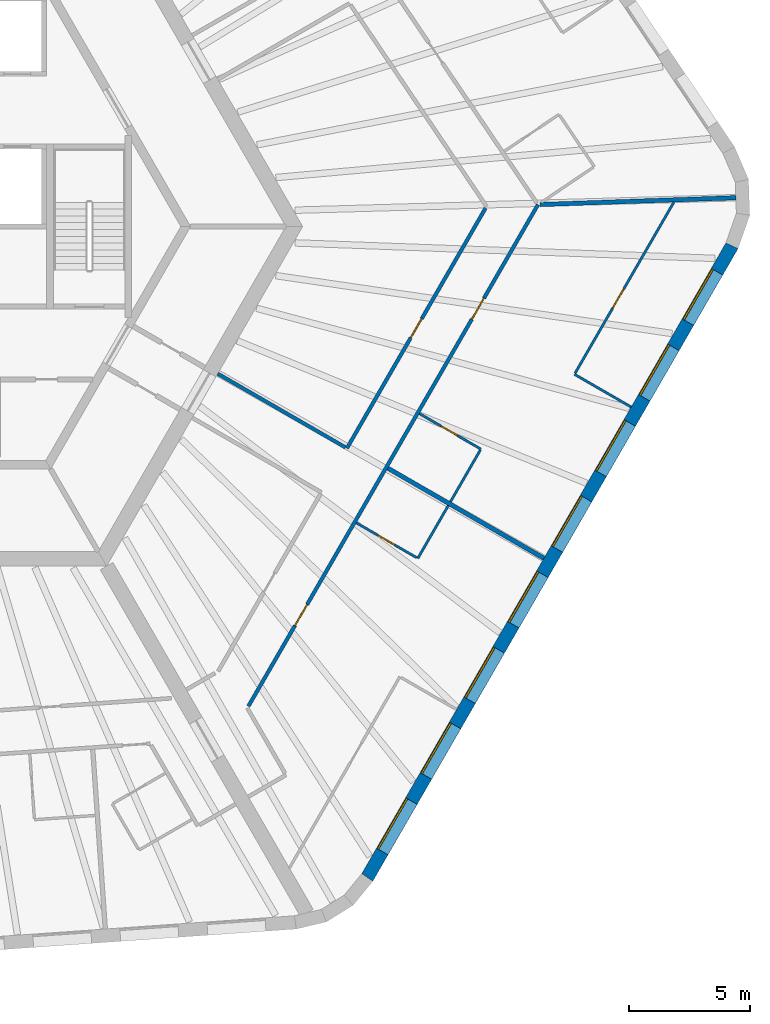
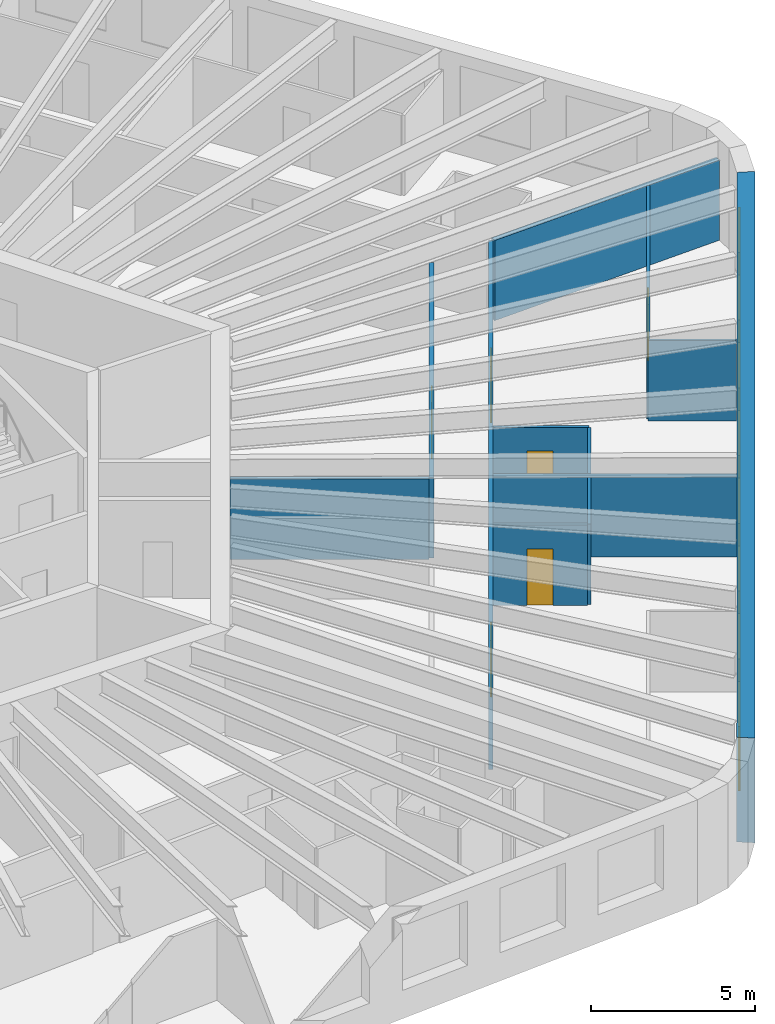
# One storey, part 6 of 12: 12 walls, 8 windows, 6 doors, 14 openings.
"""IFC4 building model written with IfcOpenShell, lengths in metres."""

import ifcopenshell
import ifcopenshell.guid

model = None  # the IFC model being written
_history = None  # IfcOwnerHistory: only IFC2X3 demands one
_inside = {}  # id of a spatial element -> (the spatial element, [elements in it])
_under = {}  # id of a project, library or spatial element -> (it, [spatial elements below it])
_declared = {}  # id of a project -> (the project, [libraries it declares])
_typed = {}  # id of a type object -> (the type object, [elements of that type])
_made_of = {}  # id of a material, layer set ... -> (it, [elements and type objects made of it])


def new_model(schema):
    """Start an empty IFC model of exactly this schema.

    Asked for "IFC4X3", IfcOpenShell would pick the latest addendum, in which some entities
    have other attributes; the version numbers below select the first issue.
    IFC2X3 requires an IfcOwnerHistory on every rooted entity: one is made here for all.
    """
    global model, _history
    if schema == "IFC4X3":
        model = ifcopenshell.file(schema_version=(4, 3, 0, 0))
    else:
        model = ifcopenshell.file(schema=schema)
    _inside.clear()
    _under.clear()
    _declared.clear()
    _typed.clear()
    _made_of.clear()
    _history = None
    if model.schema == "IFC2X3":
        org = make("IfcOrganization", Name="unknown")
        user = make(
            "IfcPersonAndOrganization",
            ThePerson=make("IfcPerson", FamilyName="unknown"),
            TheOrganization=org,
        )
        app = make(
            "IfcApplication",
            ApplicationDeveloper=org,
            Version="unknown",
            ApplicationFullName="unknown",
            ApplicationIdentifier="unknown",
        )
        _history = make(
            "IfcOwnerHistory",
            OwningUser=user,
            OwningApplication=app,
            ChangeAction="ADDED",
            CreationDate=0,
        )
    return model


def make(cls, **values):
    """One entity of the class cls with the attributes given. An attribute that is None is left unset."""
    return model.create_entity(
        cls, **{name: value for name, value in values.items() if value is not None}
    )


def rooted(cls, **values):
    """An entity with a GlobalId (a new one), such as an element, a storey or a relation."""
    return make(cls, GlobalId=ifcopenshell.guid.new(), OwnerHistory=_history, **values)


def si_unit(unit_type, name, prefix=None):
    """IfcSIUnit, for example si_unit("LENGTHUNIT", "METRE", prefix="MILLI")."""
    return make("IfcSIUnit", UnitType=unit_type, Prefix=prefix, Name=name)


def assignment(units):
    """IfcUnitAssignment: the units of a project."""
    return None if units is None else make("IfcUnitAssignment", Units=units)


def point(xyz):
    """IfcCartesianPoint."""
    return None if xyz is None else make("IfcCartesianPoint", Coordinates=xyz)


def direction(xyz):
    """IfcDirection."""
    return None if xyz is None else make("IfcDirection", DirectionRatios=xyz)


def frame(location, z_axis=None, x_axis=None):
    """IfcAxis2Placement3D, a coordinate frame: its origin and axes. An axis left out is left unset."""
    return make(
        "IfcAxis2Placement3D",
        Location=point(location),
        Axis=direction(z_axis),
        RefDirection=direction(x_axis),
    )


def frame_2d(location, x_axis=None):
    """IfcAxis2Placement2D, a coordinate frame in the plane: its origin and x axis."""
    return make(
        "IfcAxis2Placement2D", Location=point(location), RefDirection=direction(x_axis)
    )


def origin():
    """The frame at (0, 0, 0) with its axes left unset."""
    return frame((0.0, 0.0, 0.0))


def place(relative_to, where):
    """IfcLocalPlacement: puts the frame where relative to a parent placement (None: the world)."""
    return make(
        "IfcLocalPlacement", PlacementRelTo=relative_to, RelativePlacement=where
    )


def context(
    kind, dimensions, precision=None, world=None, true_north=None, identifier=None
):
    """IfcGeometricRepresentationContext, for example the 3D "Model" context."""
    return make(
        "IfcGeometricRepresentationContext",
        ContextIdentifier=identifier,
        ContextType=kind,
        CoordinateSpaceDimension=dimensions,
        Precision=precision,
        WorldCoordinateSystem=world,
        TrueNorth=true_north,
    )


def subcontext(parent, identifier, kind, view, scale=None):
    """IfcGeometricRepresentationSubContext, for example "Body" below "Model"."""
    return make(
        "IfcGeometricRepresentationSubContext",
        ContextIdentifier=identifier,
        ContextType=kind,
        ParentContext=parent,
        TargetScale=scale,
        TargetView=view,
    )


def project(units=None, contexts=None):
    """IfcProject with its units and contexts."""
    return rooted(
        "IfcProject",
        Name="project",
        RepresentationContexts=contexts,
        UnitsInContext=assignment(units),
    )


def spatial(cls, under=None, at=None, **own):
    """A site, building, storey or space (cls), placed at a placement, below another one or the project."""
    s = rooted(cls, ObjectPlacement=at, **own)
    if under is not None:
        _under.setdefault(under.id(), (under, []))[1].append(s)
    return s


def polyline(points):
    """IfcPolyline through the points."""
    return make("IfcPolyline", Points=[point(p) for p in points])


def profile(cls, at=None, kind="AREA", **sizes):
    """A parametric profile (cls). Its sizes go by their IFC names, for example OverallWidth=200.0."""
    return make(cls, ProfileType=kind, Position=at, **sizes)


def rectangle(**sizes):
    """IfcRectangleProfileDef."""
    return profile("IfcRectangleProfileDef", **sizes)


def outline(outer, holes=None, kind="AREA"):
    """IfcArbitraryClosedProfileDef: a profile drawn as a closed curve; with holes, ...WithVoids."""
    if holes is None:
        return make("IfcArbitraryClosedProfileDef", ProfileType=kind, OuterCurve=outer)
    return make(
        "IfcArbitraryProfileDefWithVoids",
        ProfileType=kind,
        OuterCurve=outer,
        InnerCurves=holes,
    )


def extrude(swept, where, along, depth):
    """IfcExtrudedAreaSolid: the profile swept, set in the frame where, extruded along a direction by depth."""
    return make(
        "IfcExtrudedAreaSolid",
        SweptArea=swept,
        Position=where,
        ExtrudedDirection=direction(along),
        Depth=depth,
    )


def shape(context_of_items, identifier, shape_type, items):
    """IfcShapeRepresentation: the items that make up one representation, for example the "Body"."""
    return make(
        "IfcShapeRepresentation",
        ContextOfItems=context_of_items,
        RepresentationIdentifier=identifier,
        RepresentationType=shape_type,
        Items=items,
    )


def material(Name=None, Category=None):
    """IfcMaterial."""
    return make("IfcMaterial", Name=Name, Category=Category)


def layer(
    of_material, thickness, ventilated=None, Name=None, Category=None, Priority=None
):
    """IfcMaterialLayer: one layer of a wall or slab, of a material (None: an air gap)."""
    return make(
        "IfcMaterialLayer",
        Material=of_material,
        LayerThickness=thickness,
        IsVentilated=ventilated,
        Name=Name,
        Category=Category,
        Priority=Priority,
    )


def layer_set(layers, Name=None):
    """IfcMaterialLayerSet."""
    return make("IfcMaterialLayerSet", MaterialLayers=layers, LayerSetName=Name)


def made_of(thing, what):
    """Note that an element or type object is made of a material, layer set ...; save() writes the relation."""
    if what is not None:
        _made_of.setdefault(what.id(), (what, []))[1].append(thing)
    return thing


def type_object(cls, material=None, **own):
    """A type object (cls), such as IfcWallType, which elements share."""
    return made_of(rooted(cls, **own), material)


def element(
    cls,
    number,
    at=None,
    inside=None,
    cuts=None,
    type_object=None,
    material=None,
    context=None,
    identifier="Body",
    shape_type=None,
    held_by="IfcProductDefinitionShape",
    body=None,
    shapes=None,
    **own,
):
    """One element of the class cls, such as IfcWall. Its Tag is "e" and its number.

    at: its placement. inside: the storey or other place that contains it. cuts: it is an
    opening in that element (IfcRelVoidsElement). A single representation is given by context,
    identifier, shape_type and body (its items); several are given by shapes. held_by: the class
    of the entity that holds the representations. save() writes the other relations.
    """
    e = rooted(cls, Tag="e%d" % number, ObjectPlacement=at, **own)
    if body is not None:
        shapes = [shape(context, identifier, shape_type, body)]
    if shapes is not None:
        e.Representation = make(held_by, Representations=shapes)
    if inside is not None:
        _inside.setdefault(inside.id(), (inside, []))[1].append(e)
    if cuts is not None:
        rooted(
            "IfcRelVoidsElement", RelatingBuildingElement=cuts, RelatedOpeningElement=e
        )
    if type_object is not None:
        _typed.setdefault(type_object.id(), (type_object, []))[1].append(e)
    return made_of(e, material)


def fill(opening, filler):
    """IfcRelFillsElement: the door or window that sits in an opening."""
    return rooted(
        "IfcRelFillsElement",
        RelatingOpeningElement=opening,
        RelatedBuildingElement=filler,
    )


def aggregate(whole, parts):
    """IfcRelAggregates: a whole, such as a stair, and the parts it consists of."""
    return rooted("IfcRelAggregates", RelatingObject=whole, RelatedObjects=parts)


def save(model, path):
    """Write the relations noted so far, then the file.

    IfcRelAggregates (storeys below a building ...), IfcRelContainedInSpatialStructure (elements
    in a storey), IfcRelDefinesByType, IfcRelAssociatesMaterial and IfcRelDeclares: one each for
    every whole, place, type object, material and project.
    """
    for whole, parts in _under.values():
        aggregate(whole, parts)
    for where, things in _inside.values():
        rooted(
            "IfcRelContainedInSpatialStructure",
            RelatedElements=things,
            RelatingStructure=where,
        )
    for kind, things in _typed.values():
        rooted("IfcRelDefinesByType", RelatedObjects=things, RelatingType=kind)
    for what, things in _made_of.values():
        rooted("IfcRelAssociatesMaterial", RelatedObjects=things, RelatingMaterial=what)
    for by, libraries in _declared.values():
        rooted("IfcRelDeclares", RelatingContext=by, RelatedDefinitions=libraries)
    model.write(path)


model = new_model("IFC4")

# Units and contexts
model_context = context("Model", 3, precision=1e-05, world=origin(), true_north=direction((0.0, 1.0)))
body_context = subcontext(model_context, "Body", "Model", "MODEL_VIEW")
ifc_project = project(units=[si_unit("LENGTHUNIT", "METRE"), si_unit("AREAUNIT", "SQUARE_METRE"), si_unit("VOLUMEUNIT", "CUBIC_METRE"), si_unit("PLANEANGLEUNIT", "RADIAN"), si_unit("MASSUNIT", "GRAM", prefix="KILO")], contexts=[model_context])

# Site, building, storey
site_placement = place(None, origin())
site = spatial("IfcSite", under=ifc_project, at=site_placement, CompositionType="ELEMENT")
building_placement = place(site_placement, origin())
building = spatial("IfcBuilding", under=site, at=building_placement, Name="Tarnside Tower", CompositionType="ELEMENT")
storey_placement = place(building_placement, frame((0.0, 0.0, 115.5)))
storey = spatial("IfcBuildingStorey", under=building, at=storey_placement, Name="L26", CompositionType="ELEMENT", Elevation=115.5)

# Wall
ifc_material_1 = material(Name="Gypsum board partition on steel studs", Category="steel")
ifc_layer_1 = layer(ifc_material_1, 0.10009765625)
ifc_layer_set_1 = layer_set([ifc_layer_1], Name="Bathroom wall 100")
wall_type_1 = type_object("IfcWallType", Name="Bathroom wall 100", PredefinedType="PARTITIONING", material=ifc_layer_set_1)
wall_1_placement = place(storey_placement, frame((22.16796875, -11.504150390625, 0.0), z_axis=(0.0, 0.0, 1.0), x_axis=(-0.50001992892, -0.866013897511, 0.0)))
element("IfcWall", 1, at=wall_1_placement, inside=storey, type_object=wall_type_1, Name="Bathroom wall 08125", PredefinedType="PARTITIONING", context=body_context, shape_type="SweptSolid", body=[
    extrude(rectangle(XDim=2.51025390625, YDim=0.10009765625, at=frame_2d((1.255126953125, 0.0))), origin(), (0.0, 0.0, 1.0), 2.98779296875),
])

# Wall, opening, door
wall_2_placement = place(storey_placement, frame((20.86962890625, -13.65283203125, 0.0), z_axis=(0.0, 0.0, 1.0), x_axis=(-0.866039941686, 0.499974818771, 0.0)))
wall_2 = element("IfcWall", 2, at=wall_2_placement, inside=storey, type_object=wall_type_1, Name="Bathroom wall 08126", PredefinedType="PARTITIONING", context=body_context, shape_type="SweptSolid", body=[
    extrude(rectangle(XDim=2.875244140625, YDim=0.10009765625, at=frame_2d((1.4375, 0.0))), origin(), (0.0, 0.0, 1.0), 2.98779296875),
])
opening_1_placement = place(wall_2_placement, frame((1.050048828125, 0.0, 0.0)))
opening_1 = element("IfcOpeningElement", 3, at=opening_1_placement, cuts=wall_2, Name="Opening D-B1", PredefinedType="OPENING", context=body_context, shape_type="SweptSolid", body=[
    extrude(rectangle(XDim=0.800048828125, YDim=2.10009765625, at=frame_2d((0.39990234375, 1.050048828125))), frame((0.0, 0.06005859375, 0.0), z_axis=(0.0, -1.0, 0.0), x_axis=(1.0, 0.0, 0.0)), (0.0, 0.0, 1.0), 0.1201171875),
])
ifc_material_2 = material(Name="Timber door leaf", Category="wood")
door_type_1 = type_object("IfcDoorType", Name="Bathroom door 800", OperationType="NOTDEFINED", PredefinedType="DOOR", material=ifc_material_2)
door_1_placement = place(opening_1_placement, origin())
door_1 = element("IfcDoor", 4, at=door_1_placement, inside=storey, type_object=door_type_1, Name="Bathroom door 08029", OperationType="SINGLE_SWING_RIGHT", OverallHeight=2.10009765625, OverallWidth=0.800048828125, PredefinedType="DOOR", context=body_context, shape_type="SweptSolid", body=[
    extrude(rectangle(XDim=0.800048828125, YDim=2.10009765625, at=frame_2d((0.39990234375, 1.050048828125))), frame((0.0, 0.02490234375, 0.0), z_axis=(0.0, -1.0, 0.0), x_axis=(1.0, 0.0, 0.0)), (0.0, 0.0, 1.0), 0.050048828125),
])
fill(opening_1, door_1)

wall_3_placement = place(storey_placement, frame((20.979736328125, -7.7119140625, 0.0), z_axis=(0.0, 0.0, 1.0), x_axis=(0.86601045545, -0.500025890382, 0.0)))
wall_3 = element("IfcWall", 5, at=wall_3_placement, inside=storey, type_object=wall_type_1, Name="Bathroom wall 08131", PredefinedType="PARTITIONING", context=body_context, shape_type="SweptSolid", body=[
    extrude(rectangle(XDim=2.925048828125, YDim=0.10009765625, at=frame_2d((1.46240234375, 0.0))), origin(), (0.0, 0.0, 1.0), 2.98779296875),
])
opening_2_placement = place(wall_3_placement, frame((1.02490234375, 0.0, 0.0)))
opening_2 = element("IfcOpeningElement", 6, at=opening_2_placement, cuts=wall_3, Name="Opening D-B1", PredefinedType="OPENING", context=body_context, shape_type="SweptSolid", body=[
    extrude(rectangle(XDim=0.800048828125, YDim=2.10009765625, at=frame_2d((0.39990234375, 1.050048828125))), frame((0.0, 0.06005859375, 0.0), z_axis=(0.0, -1.0, 0.0), x_axis=(1.0, 0.0, 0.0)), (0.0, 0.0, 1.0), 0.1201171875),
])
door_2_placement = place(opening_2_placement, origin())
door_2 = element("IfcDoor", 7, at=door_2_placement, inside=storey, type_object=door_type_1, Name="Bathroom door 08032", OperationType="SINGLE_SWING_RIGHT", OverallHeight=2.10009765625, OverallWidth=0.800048828125, PredefinedType="DOOR", context=body_context, shape_type="SweptSolid", body=[
    extrude(rectangle(XDim=0.800048828125, YDim=2.10009765625, at=frame_2d((0.39990234375, 1.050048828125))), frame((0.0, 0.02490234375, 0.0), z_axis=(0.0, -1.0, 0.0), x_axis=(1.0, 0.0, 0.0)), (0.0, 0.0, 1.0), 0.050048828125),
])
fill(opening_2, door_2)

# Wall
wall_4_placement = place(storey_placement, frame((23.48779296875, -9.2177734375, 0.0), z_axis=(0.0, 0.0, 1.0), x_axis=(-0.500003092839, -0.866023618125, 0.0)))
element("IfcWall", 8, at=wall_4_placement, inside=storey, type_object=wall_type_1, Name="Bathroom wall 08132", PredefinedType="PARTITIONING", context=body_context, shape_type="SweptSolid", body=[
    extrude(rectangle(XDim=2.4599609375, YDim=0.10009765625, at=frame_2d((1.22998046875, 0.0))), origin(), (0.0, 0.0, 1.0), 2.98779296875),
])

# Wall, openings, doors
ifc_layer_2 = layer(ifc_material_1, 0.14990234375)
ifc_layer_set_2 = layer_set([ifc_layer_2], Name="Corridor wall 150 EI 60")
wall_type_2 = type_object("IfcWallType", Name="Corridor wall 150 EI 60", PredefinedType="PARTITIONING", material=ifc_layer_set_2)
wall_5_placement = place(storey_placement, frame((13.928466796875, -19.77490234375, 0.0), z_axis=(0.0, 0.0, 1.0), x_axis=(0.50000450071, 0.866022805283, 0.0)))
wall_5 = element("IfcWall", 9, at=wall_5_placement, inside=storey, type_object=wall_type_2, Name="Corridor wall 08052", PredefinedType="PARTITIONING", context=body_context, shape_type="SweptSolid", body=[
    extrude(rectangle(XDim=23.877197265625, YDim=0.14990234375, at=frame_2d((11.9384765625, 0.0))), origin(), (0.0, 0.0, 1.0), 2.98779296875),
])
opening_3_placement = place(wall_5_placement, frame((3.843017578125, 0.0, 0.0)))
opening_3 = element("IfcOpeningElement", 10, at=opening_3_placement, cuts=wall_5, Name="Opening D-E1", PredefinedType="OPENING", context=body_context, shape_type="SweptSolid", body=[
    extrude(rectangle(XDim=1.0, YDim=2.10009765625, at=frame_2d((0.5, 1.050048828125))), frame((0.0, 0.0849609375, 0.0), z_axis=(0.0, -1.0, 0.0), x_axis=(1.0, 0.0, 0.0)), (0.0, 0.0, 1.0), 0.169921875),
])
opening_4_placement = place(wall_5_placement, frame((18.4248046875, 0.0, 0.0)))
opening_4 = element("IfcOpeningElement", 11, at=opening_4_placement, cuts=wall_5, Name="Opening D-E1", PredefinedType="OPENING", context=body_context, shape_type="SweptSolid", body=[
    extrude(rectangle(XDim=1.0, YDim=2.10009765625, at=frame_2d((0.5, 1.050048828125))), frame((0.0, 0.0849609375, 0.0), z_axis=(0.0, -1.0, 0.0), x_axis=(1.0, 0.0, 0.0)), (0.0, 0.0, 1.0), 0.169921875),
])
door_type_2 = type_object("IfcDoorType", Name="Unit entrance door 1000 FD30S", OperationType="NOTDEFINED", PredefinedType="DOOR", material=ifc_material_2)
door_3_placement = place(opening_3_placement, origin())
door_3 = element("IfcDoor", 12, at=door_3_placement, inside=storey, type_object=door_type_2, Name="Unit door 08028", OperationType="SINGLE_SWING_RIGHT", OverallHeight=2.10009765625, OverallWidth=1.0, PredefinedType="DOOR", context=body_context, shape_type="SweptSolid", body=[
    extrude(rectangle(XDim=1.0, YDim=2.10009765625, at=frame_2d((0.5, 1.050048828125))), frame((0.0, 0.02490234375, 0.0), z_axis=(0.0, -1.0, 0.0), x_axis=(1.0, 0.0, 0.0)), (0.0, 0.0, 1.0), 0.050048828125),
])
fill(opening_3, door_3)
door_4_placement = place(opening_4_placement, origin())
door_4 = element("IfcDoor", 13, at=door_4_placement, inside=storey, type_object=door_type_2, Name="Unit door 08031", OperationType="SINGLE_SWING_RIGHT", OverallHeight=2.10009765625, OverallWidth=1.0, PredefinedType="DOOR", context=body_context, shape_type="SweptSolid", body=[
    extrude(rectangle(XDim=1.0, YDim=2.10009765625, at=frame_2d((0.5, 1.050048828125))), frame((0.0, 0.02490234375, 0.0), z_axis=(0.0, -1.0, 0.0), x_axis=(1.0, 0.0, 0.0)), (0.0, 0.0, 1.0), 0.050048828125),
])
fill(opening_4, door_4)

# Wall, opening, door
wall_6_placement = place(storey_placement, frame((23.704345703125, 0.757080078125, 0.0), z_axis=(0.0, 0.0, 1.0), x_axis=(-0.500010297365, -0.866019458516, 0.0)))
wall_6 = element("IfcWall", 14, at=wall_6_placement, inside=storey, type_object=wall_type_2, Name="Corridor wall 08064", PredefinedType="PARTITIONING", context=body_context, shape_type="SweptSolid", body=[
    extrude(rectangle(XDim=11.428955078125, YDim=0.14990234375, at=frame_2d((5.71435546875, 0.0))), origin(), (0.0, 0.0, 1.0), 2.98779296875),
])
opening_5_placement = place(wall_6_placement, frame((5.264404296875, 0.0, 0.0)))
opening_5 = element("IfcOpeningElement", 15, at=opening_5_placement, cuts=wall_6, Name="Opening D-S1", PredefinedType="OPENING", context=body_context, shape_type="SweptSolid", body=[
    extrude(rectangle(XDim=0.89990234375, YDim=2.10009765625, at=frame_2d((0.449951171875, 1.050048828125))), frame((0.0, 0.0849609375, 0.0), z_axis=(0.0, -1.0, 0.0), x_axis=(1.0, 0.0, 0.0)), (0.0, 0.0, 1.0), 0.169921875),
])
door_type_3 = type_object("IfcDoorType", Name="Service room door 900 FD30S", OperationType="NOTDEFINED", PredefinedType="DOOR", material=ifc_material_2)
door_5_placement = place(opening_5_placement, origin())
door_5 = element("IfcDoor", 16, at=door_5_placement, inside=storey, type_object=door_type_3, Name="Service door 08046", OperationType="SINGLE_SWING_LEFT", OverallHeight=2.10009765625, OverallWidth=0.89990234375, PredefinedType="DOOR", context=body_context, shape_type="SweptSolid", body=[
    extrude(rectangle(XDim=0.89990234375, YDim=2.10009765625, at=frame_2d((0.449951171875, 1.050048828125))), frame((0.0, 0.02490234375, 0.0), z_axis=(0.0, -1.0, 0.0), x_axis=(1.0, 0.0, 0.0)), (0.0, 0.0, 1.0), 0.050048828125),
])
fill(opening_5, door_5)

# Walls
wall_7_placement = place(storey_placement, frame((17.9248046875, -9.103271484375, 0.0), z_axis=(0.0, 0.0, 1.0), x_axis=(-0.866013586754, 0.500020467139, 0.0)))
element("IfcWall", 17, at=wall_7_placement, inside=storey, type_object=wall_type_2, Name="Corridor wall 08065", PredefinedType="PARTITIONING", context=body_context, shape_type="SweptSolid", body=[
    extrude(rectangle(XDim=6.074951171875, YDim=0.14990234375, at=frame_2d((3.03759765625, 0.0))), origin(), (0.0, 0.0, 1.0), 2.98779296875),
])
ifc_layer_3 = layer(ifc_material_1, 0.179931640625)
ifc_layer_set_3 = layer_set([ifc_layer_3], Name="Demising wall 180 EI 60")
wall_type_3 = type_object("IfcWallType", Name="Demising wall 180 EI 60", PredefinedType="PARTITIONING", material=ifc_layer_set_3)
wall_8_placement = place(storey_placement, frame((26.10986328125, -13.67626953125, 0.0), z_axis=(0.0, 0.0, 1.0), x_axis=(-0.866014745021, 0.500018461065, 0.0)))
element("IfcWall", 18, at=wall_8_placement, inside=storey, type_object=wall_type_3, Name="Demising wall 08129", PredefinedType="PARTITIONING", context=body_context, shape_type="SweptSolid", body=[
    extrude(rectangle(XDim=7.425048828125, YDim=0.179931640625, at=frame_2d((3.71240234375, 0.0))), origin(), (0.0, 0.0, 1.0), 2.98779296875),
])
wall_9_placement = place(storey_placement, frame((34.0234375, 1.188232421875, 0.0), z_axis=(0.0, 0.0, 1.0), x_axis=(-0.999390818315, -0.03489974594, 0.0)))
element("IfcWall", 19, at=wall_9_placement, inside=storey, type_object=wall_type_3, Name="Demising wall 08135", PredefinedType="PARTITIONING", context=body_context, shape_type="SweptSolid", body=[
    extrude(rectangle(XDim=8.07275390625, YDim=0.179931640625, at=frame_2d((4.036376953125, 0.0))), origin(), (0.0, 0.0, 1.0), 2.98779296875),
])
ifc_layer_4 = layer(ifc_material_1, 0.10009765625)
ifc_layer_set_4 = layer_set([ifc_layer_4], Name="Partition 100")
wall_type_4 = type_object("IfcWallType", Name="Partition 100", PredefinedType="PARTITIONING", material=ifc_layer_set_4)
wall_10_placement = place(storey_placement, frame((29.7099609375, -7.44091796875, 0.0), z_axis=(0.0, 0.0, 1.0), x_axis=(-0.86599734893, 0.500048589285, 0.0)))
element("IfcWall", 20, at=wall_10_placement, inside=storey, type_object=wall_type_4, Name="Partition wall 08133", PredefinedType="PARTITIONING", context=body_context, shape_type="SweptSolid", body=[
    extrude(rectangle(XDim=2.699951171875, YDim=0.10009765625, at=frame_2d((1.35009765625, 0.0))), origin(), (0.0, 0.0, 1.0), 2.98779296875),
])

# Wall, opening, door
wall_11_placement = place(storey_placement, frame((27.396728515625, -6.047607421875, 0.0), z_axis=(0.0, 0.0, 1.0), x_axis=(0.49998354646, 0.866034903032, 0.0)))
wall_11 = element("IfcWall", 21, at=wall_11_placement, inside=storey, type_object=wall_type_4, Name="Partition wall 08134", PredefinedType="PARTITIONING", context=body_context, shape_type="SweptSolid", body=[
    extrude(rectangle(XDim=8.148193359375, YDim=0.10009765625, at=frame_2d((4.07421875, 0.0))), origin(), (0.0, 0.0, 1.0), 2.98779296875),
])
opening_6_placement = place(wall_11_placement, frame((3.10009765625, 0.0, 0.0)))
opening_6 = element("IfcOpeningElement", 22, at=opening_6_placement, cuts=wall_11, Name="Opening D-I1", PredefinedType="OPENING", context=body_context, shape_type="SweptSolid", body=[
    extrude(rectangle(XDim=0.89990234375, YDim=2.10009765625, at=frame_2d((0.449951171875, 1.050048828125))), frame((0.0, 0.06005859375, 0.0), z_axis=(0.0, -1.0, 0.0), x_axis=(1.0, 0.0, 0.0)), (0.0, 0.0, 1.0), 0.1201171875),
])
door_type_4 = type_object("IfcDoorType", Name="Internal door 900", OperationType="NOTDEFINED", PredefinedType="DOOR", material=ifc_material_2)
door_6_placement = place(opening_6_placement, origin())
door_6 = element("IfcDoor", 23, at=door_6_placement, inside=storey, type_object=door_type_4, Name="Internal door 08033", OperationType="SINGLE_SWING_RIGHT", OverallHeight=2.10009765625, OverallWidth=0.89990234375, PredefinedType="DOOR", context=body_context, shape_type="SweptSolid", body=[
    extrude(rectangle(XDim=0.89990234375, YDim=2.10009765625, at=frame_2d((0.449951171875, 1.050048828125))), frame((0.0, 0.02490234375, 0.0), z_axis=(0.0, -1.0, 0.0), x_axis=(1.0, 0.0, 0.0)), (0.0, 0.0, 1.0), 0.050048828125),
])
fill(opening_6, door_6)

# Wall, openings, windows
ifc_material_3 = material(Name="Facing brick", Category="masonry")
ifc_layer_5 = layer(ifc_material_3, 0.10205078125)
ifc_material_4 = material(Name="Concrete C60/75 precast", Category="concrete")
ifc_layer_6 = layer(ifc_material_4, 0.347900390625)
ifc_material_5 = material(Name="Mineral wool insulation")
ifc_layer_7 = layer(ifc_material_5, 0.10009765625)
ifc_layer_set_5 = layer_set([ifc_layer_5, ifc_layer_6, ifc_layer_7], Name="Tube wall 550 brick faced")
wall_type_5 = type_object("IfcWallType", Name="Tube wall 550 brick faced", PredefinedType="SOLIDWALL", material=ifc_layer_set_5)
wall_12_placement = place(storey_placement, frame((18.830322265625, -26.834716796875, -0.14990234375), z_axis=(0.0, 0.0, 1.0), x_axis=(0.500003800416, 0.866023209602, 0.0)))
wall_12 = element("IfcWall", 24, at=wall_12_placement, inside=storey, type_object=wall_type_5, Name="Tube wall L26 F5 flush 16", PredefinedType="SOLIDWALL", context=body_context, shape_type="SweptSolid", body=[
    extrude(outline(polyline([(-0.0224609375, -0.27490234375), (30.0966796875, -0.27490234375), (30.04541015625, 0.27490234375), (0.0224609375, 0.27490234375), (-0.0224609375, -0.27490234375)])), origin(), (0.0, 0.0, 1.0), 3.89990234375),
])
opening_7_placement = place(wall_12_placement, frame((1.235595703125, 0.0, 1.050048828125)))
opening_7 = element("IfcOpeningElement", 25, at=opening_7_placement, cuts=wall_12, Name="Opening WH", PredefinedType="OPENING", context=body_context, shape_type="SweptSolid", body=[
    extrude(rectangle(XDim=2.39990234375, YDim=2.39990234375, at=frame_2d((1.199951171875, 1.199951171875))), frame((0.0, 0.28515625, 0.0), z_axis=(0.0, -1.0, 0.0), x_axis=(1.0, 0.0, 0.0)), (0.0, 0.0, 1.0), 0.570068359375),
])
opening_8_placement = place(wall_12_placement, frame((4.83544921875, 0.0, 1.050048828125)))
opening_8 = element("IfcOpeningElement", 26, at=opening_8_placement, cuts=wall_12, Name="Opening WH", PredefinedType="OPENING", context=body_context, shape_type="SweptSolid", body=[
    extrude(rectangle(XDim=2.39990234375, YDim=2.39990234375, at=frame_2d((1.199951171875, 1.199951171875))), frame((0.0, 0.28515625, 0.0), z_axis=(0.0, -1.0, 0.0), x_axis=(1.0, 0.0, 0.0)), (0.0, 0.0, 1.0), 0.570068359375),
])
opening_9_placement = place(wall_12_placement, frame((8.435546875, 0.0, 1.050048828125)))
opening_9 = element("IfcOpeningElement", 27, at=opening_9_placement, cuts=wall_12, Name="Opening WH", PredefinedType="OPENING", context=body_context, shape_type="SweptSolid", body=[
    extrude(rectangle(XDim=2.39990234375, YDim=2.39990234375, at=frame_2d((1.199951171875, 1.199951171875))), frame((0.0, 0.28515625, 0.0), z_axis=(0.0, -1.0, 0.0), x_axis=(1.0, 0.0, 0.0)), (0.0, 0.0, 1.0), 0.570068359375),
])
opening_10_placement = place(wall_12_placement, frame((12.035400390625, 0.0, 1.050048828125)))
opening_10 = element("IfcOpeningElement", 28, at=opening_10_placement, cuts=wall_12, Name="Opening WH", PredefinedType="OPENING", context=body_context, shape_type="SweptSolid", body=[
    extrude(rectangle(XDim=2.39990234375, YDim=2.39990234375, at=frame_2d((1.199951171875, 1.199951171875))), frame((0.0, 0.28515625, 0.0), z_axis=(0.0, -1.0, 0.0), x_axis=(1.0, 0.0, 0.0)), (0.0, 0.0, 1.0), 0.570068359375),
])
opening_11_placement = place(wall_12_placement, frame((15.635498046875, 0.0, 1.050048828125)))
opening_11 = element("IfcOpeningElement", 29, at=opening_11_placement, cuts=wall_12, Name="Opening WH", PredefinedType="OPENING", context=body_context, shape_type="SweptSolid", body=[
    extrude(rectangle(XDim=2.39990234375, YDim=2.39990234375, at=frame_2d((1.199951171875, 1.199951171875))), frame((0.0, 0.28515625, 0.0), z_axis=(0.0, -1.0, 0.0), x_axis=(1.0, 0.0, 0.0)), (0.0, 0.0, 1.0), 0.570068359375),
])
opening_12_placement = place(wall_12_placement, frame((19.235595703125, 0.0, 1.050048828125)))
opening_12 = element("IfcOpeningElement", 30, at=opening_12_placement, cuts=wall_12, Name="Opening WH", PredefinedType="OPENING", context=body_context, shape_type="SweptSolid", body=[
    extrude(rectangle(XDim=2.39990234375, YDim=2.39990234375, at=frame_2d((1.199951171875, 1.199951171875))), frame((0.0, 0.28515625, 0.0), z_axis=(0.0, -1.0, 0.0), x_axis=(1.0, 0.0, 0.0)), (0.0, 0.0, 1.0), 0.570068359375),
])
opening_13_placement = place(wall_12_placement, frame((22.83544921875, 0.0, 1.050048828125)))
opening_13 = element("IfcOpeningElement", 31, at=opening_13_placement, cuts=wall_12, Name="Opening WH", PredefinedType="OPENING", context=body_context, shape_type="SweptSolid", body=[
    extrude(rectangle(XDim=2.39990234375, YDim=2.39990234375, at=frame_2d((1.199951171875, 1.199951171875))), frame((0.0, 0.28515625, 0.0), z_axis=(0.0, -1.0, 0.0), x_axis=(1.0, 0.0, 0.0)), (0.0, 0.0, 1.0), 0.570068359375),
])
opening_14_placement = place(wall_12_placement, frame((26.435546875, 0.0, 1.050048828125)))
opening_14 = element("IfcOpeningElement", 32, at=opening_14_placement, cuts=wall_12, Name="Opening WH", PredefinedType="OPENING", context=body_context, shape_type="SweptSolid", body=[
    extrude(rectangle(XDim=2.39990234375, YDim=2.39990234375, at=frame_2d((1.199951171875, 1.199951171875))), frame((0.0, 0.28515625, 0.0), z_axis=(0.0, -1.0, 0.0), x_axis=(1.0, 0.0, 0.0)), (0.0, 0.0, 1.0), 0.570068359375),
])
ifc_material_6 = material(Name="Aluminium-framed double glazing", Category="aluminium")
window_type = type_object("IfcWindowType", Name="Hotel window 2400 x 2400", PartitioningType="DOUBLE_PANEL_VERTICAL", PredefinedType="WINDOW", material=ifc_material_6)
window_1_placement = place(opening_7_placement, frame((0.0, 0.205078125, 0.0)))
window_1 = element("IfcWindow", 33, at=window_1_placement, inside=storey, type_object=window_type, Name="E.WN.L26.F5.00", OverallHeight=2.39990234375, OverallWidth=2.39990234375, PartitioningType="DOUBLE_PANEL_VERTICAL", PredefinedType="WINDOW", context=body_context, shape_type="SweptSolid", body=[
    extrude(rectangle(XDim=2.39990234375, YDim=2.39990234375, at=frame_2d((1.199951171875, 1.199951171875))), frame((0.0, 0.030029296875, 0.0), z_axis=(0.0, -1.0, 0.0), x_axis=(1.0, 0.0, 0.0)), (0.0, 0.0, 1.0), 0.06005859375),
])
fill(opening_7, window_1)
window_2_placement = place(opening_8_placement, frame((0.0, 0.205078125, 0.0)))
window_2 = element("IfcWindow", 34, at=window_2_placement, inside=storey, type_object=window_type, Name="E.WN.L26.F5.01", OverallHeight=2.39990234375, OverallWidth=2.39990234375, PartitioningType="DOUBLE_PANEL_VERTICAL", PredefinedType="WINDOW", context=body_context, shape_type="SweptSolid", body=[
    extrude(rectangle(XDim=2.39990234375, YDim=2.39990234375, at=frame_2d((1.199951171875, 1.199951171875))), frame((0.0, 0.030029296875, 0.0), z_axis=(0.0, -1.0, 0.0), x_axis=(1.0, 0.0, 0.0)), (0.0, 0.0, 1.0), 0.06005859375),
])
fill(opening_8, window_2)
window_3_placement = place(opening_9_placement, frame((0.0, 0.205078125, 0.0)))
window_3 = element("IfcWindow", 35, at=window_3_placement, inside=storey, type_object=window_type, Name="E.WN.L26.F5.02", OverallHeight=2.39990234375, OverallWidth=2.39990234375, PartitioningType="DOUBLE_PANEL_VERTICAL", PredefinedType="WINDOW", context=body_context, shape_type="SweptSolid", body=[
    extrude(rectangle(XDim=2.39990234375, YDim=2.39990234375, at=frame_2d((1.199951171875, 1.199951171875))), frame((0.0, 0.030029296875, 0.0), z_axis=(0.0, -1.0, 0.0), x_axis=(1.0, 0.0, 0.0)), (0.0, 0.0, 1.0), 0.06005859375),
])
fill(opening_9, window_3)
window_4_placement = place(opening_10_placement, frame((0.0, 0.205078125, 0.0)))
window_4 = element("IfcWindow", 36, at=window_4_placement, inside=storey, type_object=window_type, Name="E.WN.L26.F5.03", OverallHeight=2.39990234375, OverallWidth=2.39990234375, PartitioningType="DOUBLE_PANEL_VERTICAL", PredefinedType="WINDOW", context=body_context, shape_type="SweptSolid", body=[
    extrude(rectangle(XDim=2.39990234375, YDim=2.39990234375, at=frame_2d((1.199951171875, 1.199951171875))), frame((0.0, 0.030029296875, 0.0), z_axis=(0.0, -1.0, 0.0), x_axis=(1.0, 0.0, 0.0)), (0.0, 0.0, 1.0), 0.06005859375),
])
fill(opening_10, window_4)
window_5_placement = place(opening_11_placement, frame((0.0, 0.205078125, 0.0)))
window_5 = element("IfcWindow", 37, at=window_5_placement, inside=storey, type_object=window_type, Name="E.WN.L26.F5.04", OverallHeight=2.39990234375, OverallWidth=2.39990234375, PartitioningType="DOUBLE_PANEL_VERTICAL", PredefinedType="WINDOW", context=body_context, shape_type="SweptSolid", body=[
    extrude(rectangle(XDim=2.39990234375, YDim=2.39990234375, at=frame_2d((1.199951171875, 1.199951171875))), frame((0.0, 0.030029296875, 0.0), z_axis=(0.0, -1.0, 0.0), x_axis=(1.0, 0.0, 0.0)), (0.0, 0.0, 1.0), 0.06005859375),
])
fill(opening_11, window_5)
window_6_placement = place(opening_12_placement, frame((0.0, 0.205078125, 0.0)))
window_6 = element("IfcWindow", 38, at=window_6_placement, inside=storey, type_object=window_type, Name="E.WN.L26.F5.05", OverallHeight=2.39990234375, OverallWidth=2.39990234375, PartitioningType="DOUBLE_PANEL_VERTICAL", PredefinedType="WINDOW", context=body_context, shape_type="SweptSolid", body=[
    extrude(rectangle(XDim=2.39990234375, YDim=2.39990234375, at=frame_2d((1.199951171875, 1.199951171875))), frame((0.0, 0.030029296875, 0.0), z_axis=(0.0, -1.0, 0.0), x_axis=(1.0, 0.0, 0.0)), (0.0, 0.0, 1.0), 0.06005859375),
])
fill(opening_12, window_6)
window_7_placement = place(opening_13_placement, frame((0.0, 0.205078125, 0.0)))
window_7 = element("IfcWindow", 39, at=window_7_placement, inside=storey, type_object=window_type, Name="E.WN.L26.F5.06", OverallHeight=2.39990234375, OverallWidth=2.39990234375, PartitioningType="DOUBLE_PANEL_VERTICAL", PredefinedType="WINDOW", context=body_context, shape_type="SweptSolid", body=[
    extrude(rectangle(XDim=2.39990234375, YDim=2.39990234375, at=frame_2d((1.199951171875, 1.199951171875))), frame((0.0, 0.030029296875, 0.0), z_axis=(0.0, -1.0, 0.0), x_axis=(1.0, 0.0, 0.0)), (0.0, 0.0, 1.0), 0.06005859375),
])
fill(opening_13, window_7)
window_8_placement = place(opening_14_placement, frame((0.0, 0.205078125, 0.0)))
window_8 = element("IfcWindow", 40, at=window_8_placement, inside=storey, type_object=window_type, Name="E.WN.L26.F5.07", OverallHeight=2.39990234375, OverallWidth=2.39990234375, PartitioningType="DOUBLE_PANEL_VERTICAL", PredefinedType="WINDOW", context=body_context, shape_type="SweptSolid", body=[
    extrude(rectangle(XDim=2.39990234375, YDim=2.39990234375, at=frame_2d((1.199951171875, 1.199951171875))), frame((0.0, 0.030029296875, 0.0), z_axis=(0.0, -1.0, 0.0), x_axis=(1.0, 0.0, 0.0)), (0.0, 0.0, 1.0), 0.06005859375),
])
fill(opening_14, window_8)

save(model, "model.ifc")
